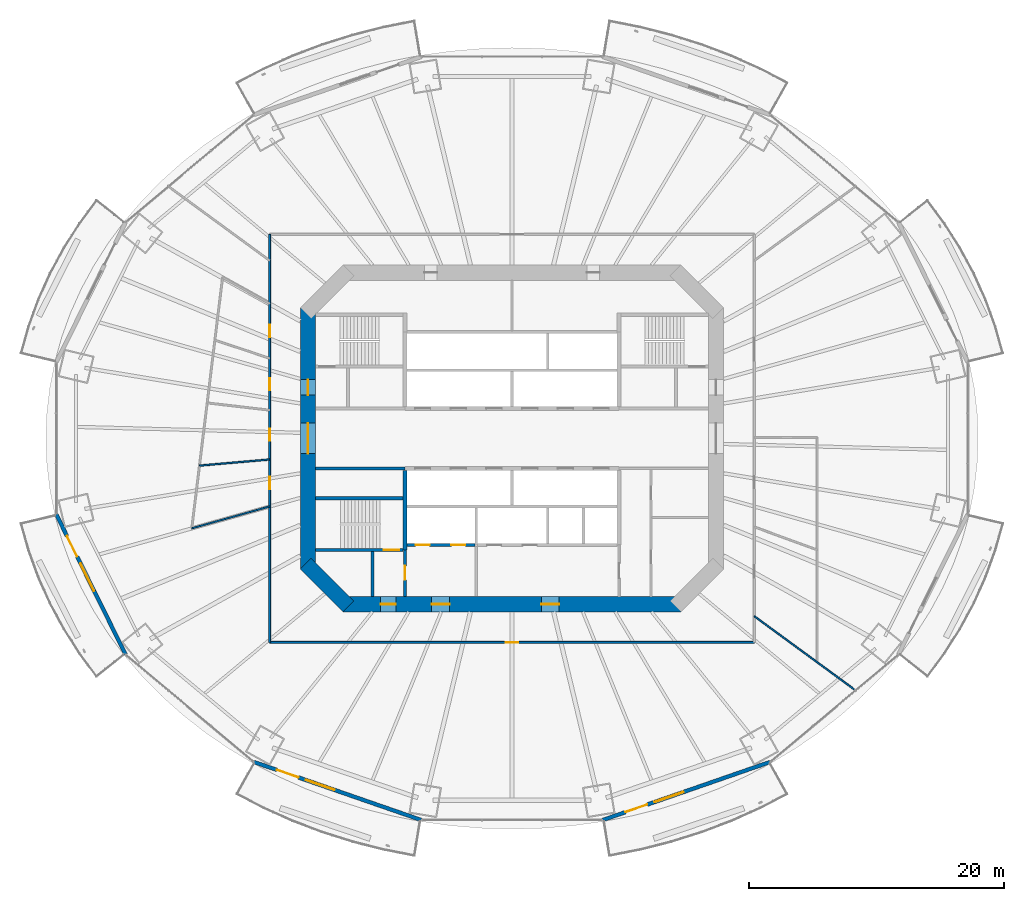
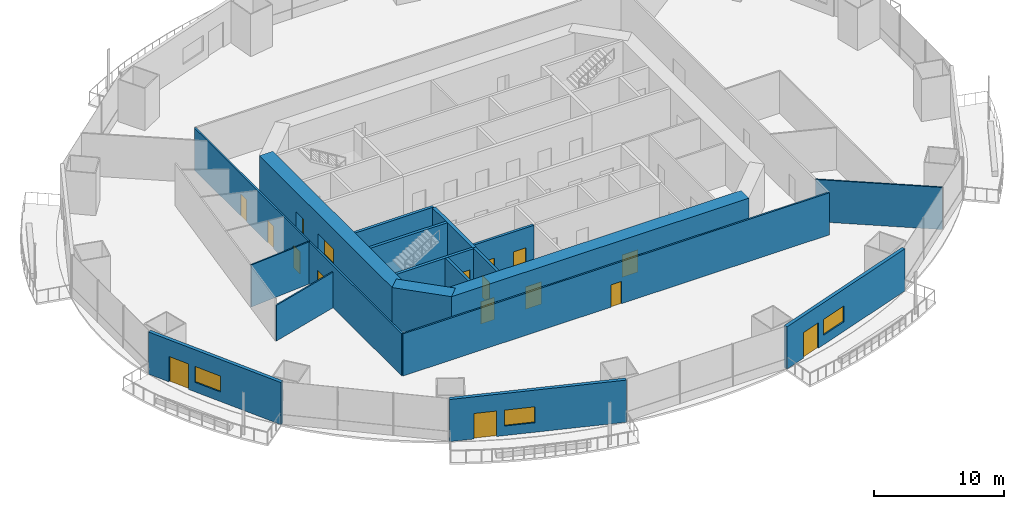
# One storey, part 14 of 23: 18 walls, 17 doors, 3 windows, 20 openings.
"""IFC4 building model written with IfcOpenShell, lengths in metres."""

from ifc_helpers import new_model, si_unit, direction, frame, frame_2d, origin, place, context, subcontext, project, spatial, rectangle, extrude, material, layer, layer_set, type_object, element, fill, save


model = new_model("IFC4")

# Units and contexts
model_context = context("Model", 3, precision=1e-05, world=origin(), true_north=direction((0.0, 1.0)))
body_context = subcontext(model_context, "Body", "Model", "MODEL_VIEW")
ifc_project = project(units=[si_unit("LENGTHUNIT", "METRE"), si_unit("AREAUNIT", "SQUARE_METRE"), si_unit("VOLUMEUNIT", "CUBIC_METRE"), si_unit("PLANEANGLEUNIT", "RADIAN"), si_unit("MASSUNIT", "GRAM", prefix="KILO")], contexts=[model_context])

# Site, building, storey
site_placement = place(None, origin())
site = spatial("IfcSite", under=ifc_project, at=site_placement, CompositionType="ELEMENT")
building_placement = place(site_placement, origin())
building = spatial("IfcBuilding", under=site, at=building_placement, Name="Marenthal Gate Tower", CompositionType="ELEMENT")
storey_placement = place(building_placement, frame((0.0, 0.0, 53.75)))
storey = spatial("IfcBuildingStorey", under=building, at=storey_placement, Name="L09", CompositionType="ELEMENT", Elevation=53.75)

# Wall, openings, doors
ifc_material_1 = material(Name="Concrete 60 MPa", Category="concrete")
ifc_layer_1 = layer(ifc_material_1, 1.199951171875)
ifc_layer_set_1 = layer_set([ifc_layer_1], Name="Core shear wall 1200")
wall_type_1 = type_object("IfcWallType", Name="Core shear wall 1200", PredefinedType="SHEAR", material=ifc_layer_set_1)
wall_1_placement = place(storey_placement, frame((-16.0, 10.24853515625, -0.179931640625), z_axis=(0.0, 0.0, 1.0), x_axis=(0.0, -1.0, 0.0)))
wall_1 = element("IfcWall", 1, at=wall_1_placement, inside=storey, type_object=wall_type_1, Name="Core wall 06", PredefinedType="SHEAR", context=body_context, shape_type="SweptSolid", body=[
    extrude(rectangle(XDim=20.4970703125, YDim=1.199951171875, at=frame_2d((10.24853515625, 0.0))), origin(), (0.0, 0.0, 1.0), 4.14990234375),
])
opening_1_placement = place(wall_1_placement, frame((9.048583984375, 0.0, 0.179931640625)))
opening_1 = element("IfcOpeningElement", 2, at=opening_1_placement, cuts=wall_1, Name="Opening D003.01", PredefinedType="OPENING", context=body_context, shape_type="SweptSolid", body=[
    extrude(rectangle(XDim=2.39990234375, YDim=2.10009765625, at=frame_2d((1.199951171875, 1.050048828125))), frame((0.0, 0.60986328125, 0.0), z_axis=(0.0, -1.0, 0.0), x_axis=(1.0, 0.0, 0.0)), (0.0, 0.0, 1.0), 1.219970703125),
])
opening_2_placement = place(wall_1_placement, frame((5.6484375, 0.0, 0.179931640625)))
opening_2 = element("IfcOpeningElement", 3, at=opening_2_placement, cuts=wall_1, Name="Opening D001.04", PredefinedType="OPENING", context=body_context, shape_type="SweptSolid", body=[
    extrude(rectangle(XDim=1.199951171875, YDim=2.10009765625, at=frame_2d((0.60009765625, 1.050048828125))), frame((0.0, 0.60986328125, 0.0), z_axis=(0.0, -1.0, 0.0), x_axis=(1.0, 0.0, 0.0)), (0.0, 0.0, 1.0), 1.219970703125),
])
ifc_material_2 = material(Name="Steel fire door", Category="steel")
door_type_1 = type_object("IfcDoorType", Name="Double fire door FD 45 2400 x 2100", OperationType="DOUBLE_DOOR_SINGLE_SWING", PredefinedType="DOOR", material=ifc_material_2)
door_1_placement = place(opening_1_placement, origin())
door_1 = element("IfcDoor", 4, at=door_1_placement, inside=storey, type_object=door_type_1, Name="Door D003.01", OperationType="DOUBLE_DOOR_SINGLE_SWING", OverallHeight=2.10009765625, OverallWidth=2.39990234375, PredefinedType="DOOR", context=body_context, shape_type="SweptSolid", body=[
    extrude(rectangle(XDim=2.39990234375, YDim=2.10009765625, at=frame_2d((1.199951171875, 1.050048828125))), frame((0.0, 0.02490234375, 0.0), z_axis=(0.0, -1.0, 0.0), x_axis=(1.0, 0.0, 0.0)), (0.0, 0.0, 1.0), 0.050048828125),
])
fill(opening_1, door_1)
ifc_material_3 = material(Name="Steel fire door", Category="steel")
door_type_2 = type_object("IfcDoorType", Name="Fire door FD 90 1200 x 2100", OperationType="NOTDEFINED", PredefinedType="DOOR", material=ifc_material_3)
door_2_placement = place(opening_2_placement, origin())
door_2 = element("IfcDoor", 5, at=door_2_placement, inside=storey, type_object=door_type_2, Name="Door D001.04", OperationType="SINGLE_SWING_RIGHT", OverallHeight=2.10009765625, OverallWidth=1.199951171875, PredefinedType="DOOR", context=body_context, shape_type="SweptSolid", body=[
    extrude(rectangle(XDim=1.199951171875, YDim=2.10009765625, at=frame_2d((0.60009765625, 1.050048828125))), frame((0.0, 0.02490234375, 0.0), z_axis=(0.0, -1.0, 0.0), x_axis=(1.0, 0.0, 0.0)), (0.0, 0.0, 1.0), 0.050048828125),
])
fill(opening_2, door_2)

# Wall
wall_2_placement = place(storey_placement, frame((-16.17578125, -9.82421875, -0.179931640625), z_axis=(0.0, 0.0, 1.0), x_axis=(0.707106781187, -0.707106781187, 0.0)))
element("IfcWall", 6, at=wall_2_placement, inside=storey, type_object=wall_type_1, Name="Core wall 07", PredefinedType="SHEAR", context=body_context, shape_type="SweptSolid", body=[
    extrude(rectangle(XDim=4.73974609375, YDim=1.199951171875, at=frame_2d((2.369873046875, 0.0))), origin(), (0.0, 0.0, 1.0), 4.14990234375),
])

# Wall, openings, doors
wall_3_placement = place(storey_placement, frame((-13.24853515625, -13.0, -0.179931640625), z_axis=(0.0, 0.0, 1.0), x_axis=(1.0, 0.0, 0.0)))
wall_3 = element("IfcWall", 7, at=wall_3_placement, inside=storey, type_object=wall_type_1, Name="Core wall 08", PredefinedType="SHEAR", context=body_context, shape_type="SweptSolid", body=[
    extrude(rectangle(XDim=26.4970703125, YDim=1.199951171875, at=frame_2d((13.24853515625, 0.0))), origin(), (0.0, 0.0, 1.0), 4.14990234375),
])
opening_3_placement = place(wall_3_placement, frame((2.948486328125, 0.0, 0.179931640625)))
opening_3 = element("IfcOpeningElement", 8, at=opening_3_placement, cuts=wall_3, Name="Opening D001.06", PredefinedType="OPENING", context=body_context, shape_type="SweptSolid", body=[
    extrude(rectangle(XDim=1.199951171875, YDim=2.10009765625, at=frame_2d((0.60009765625, 1.050048828125))), frame((0.0, 0.60986328125, 0.0), z_axis=(0.0, -1.0, 0.0), x_axis=(1.0, 0.0, 0.0)), (0.0, 0.0, 1.0), 1.219970703125),
])
opening_4_placement = place(wall_3_placement, frame((6.948486328125, 0.0, 0.179931640625)))
opening_4 = element("IfcOpeningElement", 9, at=opening_4_placement, cuts=wall_3, Name="Opening D004.01", PredefinedType="OPENING", context=body_context, shape_type="SweptSolid", body=[
    extrude(rectangle(XDim=1.39990234375, YDim=2.10009765625, at=frame_2d((0.699951171875, 1.050048828125))), frame((0.0, 0.60986328125, 0.0), z_axis=(0.0, -1.0, 0.0), x_axis=(1.0, 0.0, 0.0)), (0.0, 0.0, 1.0), 1.219970703125),
])
opening_5_placement = place(wall_3_placement, frame((15.548583984375, 0.0, 0.179931640625)))
opening_5 = element("IfcOpeningElement", 10, at=opening_5_placement, cuts=wall_3, Name="Opening D004.02", PredefinedType="OPENING", context=body_context, shape_type="SweptSolid", body=[
    extrude(rectangle(XDim=1.39990234375, YDim=2.10009765625, at=frame_2d((0.699951171875, 1.050048828125))), frame((0.0, 0.60986328125, 0.0), z_axis=(0.0, -1.0, 0.0), x_axis=(1.0, 0.0, 0.0)), (0.0, 0.0, 1.0), 1.219970703125),
])
ifc_material_4 = material(Name="Steel fire door", Category="steel")
door_type_3 = type_object("IfcDoorType", Name="Fire door FD 45 1400 x 2100", OperationType="NOTDEFINED", PredefinedType="DOOR", material=ifc_material_4)
door_3_placement = place(opening_4_placement, origin())
door_3 = element("IfcDoor", 11, at=door_3_placement, inside=storey, type_object=door_type_3, Name="Door D004.01", OperationType="SINGLE_SWING_RIGHT", OverallHeight=2.10009765625, OverallWidth=1.39990234375, PredefinedType="DOOR", context=body_context, shape_type="SweptSolid", body=[
    extrude(rectangle(XDim=1.39990234375, YDim=2.10009765625, at=frame_2d((0.699951171875, 1.050048828125))), frame((0.0, 0.02490234375, 0.0), z_axis=(0.0, -1.0, 0.0), x_axis=(1.0, 0.0, 0.0)), (0.0, 0.0, 1.0), 0.050048828125),
])
fill(opening_4, door_3)
door_4_placement = place(opening_5_placement, origin())
door_4 = element("IfcDoor", 12, at=door_4_placement, inside=storey, type_object=door_type_3, Name="Door D004.02", OperationType="SINGLE_SWING_RIGHT", OverallHeight=2.10009765625, OverallWidth=1.39990234375, PredefinedType="DOOR", context=body_context, shape_type="SweptSolid", body=[
    extrude(rectangle(XDim=1.39990234375, YDim=2.10009765625, at=frame_2d((0.699951171875, 1.050048828125))), frame((0.0, 0.02490234375, 0.0), z_axis=(0.0, -1.0, 0.0), x_axis=(1.0, 0.0, 0.0)), (0.0, 0.0, 1.0), 0.050048828125),
])
fill(opening_5, door_4)
door_5_placement = place(opening_3_placement, origin())
door_5 = element("IfcDoor", 13, at=door_5_placement, inside=storey, type_object=door_type_2, Name="Door D001.06", OperationType="SINGLE_SWING_RIGHT", OverallHeight=2.10009765625, OverallWidth=1.199951171875, PredefinedType="DOOR", context=body_context, shape_type="SweptSolid", body=[
    extrude(rectangle(XDim=1.199951171875, YDim=2.10009765625, at=frame_2d((0.60009765625, 1.050048828125))), frame((0.0, 0.02490234375, 0.0), z_axis=(0.0, -1.0, 0.0), x_axis=(1.0, 0.0, 0.0)), (0.0, 0.0, 1.0), 0.050048828125),
])
fill(opening_3, door_5)

# Wall
ifc_material_5 = material(Name="Concrete 50 MPa", Category="concrete")
ifc_layer_2 = layer(ifc_material_5, 0.300048828125)
ifc_layer_set_2 = layer_set([ifc_layer_2], Name="Hoistway shear wall 300")
wall_type_2 = type_object("IfcWallType", Name="Hoistway shear wall 300", PredefinedType="SHEAR", material=ifc_layer_set_2)
wall_4_placement = place(storey_placement, frame((-8.39990234375, -8.75, -0.179931640625), z_axis=(0.0, 0.0, 1.0), x_axis=(0.0, 1.0, 0.0)))
element("IfcWall", 14, at=wall_4_placement, inside=storey, type_object=wall_type_2, Name="Hoistway wall 30", PredefinedType="SHEAR", context=body_context, shape_type="SweptSolid", body=[
    extrude(rectangle(XDim=6.25, YDim=0.300048828125, at=frame_2d((3.125, 0.0))), origin(), (0.0, 0.0, 1.0), 4.14990234375),
])

# Wall, openings, doors
ifc_material_6 = material(Name="Concrete 40 MPa", Category="concrete")
ifc_layer_3 = layer(ifc_material_6, 0.219970703125)
ifc_layer_set_3 = layer_set([ifc_layer_3], Name="Hoistway wall 220")
wall_type_3 = type_object("IfcWallType", Name="Hoistway wall 220", PredefinedType="STANDARD", material=ifc_layer_set_3)
wall_5_placement = place(storey_placement, frame((-8.25, -8.35009765625, 0.0), z_axis=(0.0, 0.0, 1.0), x_axis=(1.0, 0.0, 0.0)))
wall_5 = element("IfcWall", 15, at=wall_5_placement, inside=storey, type_object=wall_type_3, Name="Hoistway wall 10", PredefinedType="STANDARD", context=body_context, shape_type="SweptSolid", body=[
    extrude(rectangle(XDim=5.340087890625, YDim=0.219970703125, at=frame_2d((2.669921875, 0.0))), origin(), (0.0, 0.0, 1.0), 3.969970703125),
])
opening_6_placement = place(wall_5_placement, frame((0.699951171875, 0.0, 0.0)))
opening_6 = element("IfcOpeningElement", 16, at=opening_6_placement, cuts=wall_5, Name="Opening LD-LF1", PredefinedType="OPENING", context=body_context, shape_type="SweptSolid", body=[
    extrude(rectangle(XDim=1.10009765625, YDim=2.10009765625, at=frame_2d((0.550048828125, 1.050048828125))), frame((0.0, 0.1201171875, 0.0), z_axis=(0.0, -1.0, 0.0), x_axis=(1.0, 0.0, 0.0)), (0.0, 0.0, 1.0), 0.239990234375),
])
opening_7_placement = place(wall_5_placement, frame((3.5, 0.0, 0.0)))
opening_7 = element("IfcOpeningElement", 17, at=opening_7_placement, cuts=wall_5, Name="Opening LD-LF2", PredefinedType="OPENING", context=body_context, shape_type="SweptSolid", body=[
    extrude(rectangle(XDim=1.10009765625, YDim=2.10009765625, at=frame_2d((0.550048828125, 1.050048828125))), frame((0.0, 0.1201171875, 0.0), z_axis=(0.0, -1.0, 0.0), x_axis=(1.0, 0.0, 0.0)), (0.0, 0.0, 1.0), 0.239990234375),
])
ifc_material_7 = material(Name="Stainless steel sliding door", Category="steel")
door_type_4 = type_object("IfcDoorType", Name="Lift landing door FD 90 1100 x 2100", OperationType="DOUBLE_DOOR_SLIDING", PredefinedType="DOOR", material=ifc_material_7)
door_6_placement = place(opening_6_placement, origin())
door_6 = element("IfcDoor", 18, at=door_6_placement, inside=storey, type_object=door_type_4, Name="Lift landing door LF1", OperationType="DOUBLE_DOOR_SLIDING", OverallHeight=2.10009765625, OverallWidth=1.10009765625, PredefinedType="DOOR", context=body_context, shape_type="SweptSolid", body=[
    extrude(rectangle(XDim=1.10009765625, YDim=2.10009765625, at=frame_2d((0.550048828125, 1.050048828125))), frame((0.0, 0.02490234375, 0.0), z_axis=(0.0, -1.0, 0.0), x_axis=(1.0, 0.0, 0.0)), (0.0, 0.0, 1.0), 0.050048828125),
])
fill(opening_6, door_6)
door_7_placement = place(opening_7_placement, origin())
door_7 = element("IfcDoor", 19, at=door_7_placement, inside=storey, type_object=door_type_4, Name="Lift landing door LF2", OperationType="DOUBLE_DOOR_SLIDING", OverallHeight=2.10009765625, OverallWidth=1.10009765625, PredefinedType="DOOR", context=body_context, shape_type="SweptSolid", body=[
    extrude(rectangle(XDim=1.10009765625, YDim=2.10009765625, at=frame_2d((0.550048828125, 1.050048828125))), frame((0.0, 0.02490234375, 0.0), z_axis=(0.0, -1.0, 0.0), x_axis=(1.0, 0.0, 0.0)), (0.0, 0.0, 1.0), 0.050048828125),
])
fill(opening_7, door_7)

# Walls
ifc_material_8 = material(Name="Gypsum board on steel studs", Category="steel")
ifc_layer_4 = layer(ifc_material_8, 0.1201171875)
ifc_layer_set_4 = layer_set([ifc_layer_4], Name="Partition 120")
wall_type_4 = type_object("IfcWallType", Name="Partition 120", PredefinedType="PARTITIONING", material=ifc_layer_set_4)
wall_6_placement = place(storey_placement, frame((-24.506103515625, -2.13427734375, 0.0), z_axis=(0.0, 0.0, 1.0), x_axis=(0.996225821909, 0.086799261298, 0.0)))
element("IfcWall", 20, at=wall_6_placement, inside=storey, type_object=wall_type_4, Name="Partition wall 47", PredefinedType="PARTITIONING", context=body_context, shape_type="SweptSolid", body=[
    extrude(rectangle(XDim=5.52685546875, YDim=0.1201171875, at=frame_2d((2.763427734375, 0.0))), origin(), (0.0, 0.0, 1.0), 3.969970703125),
])
wall_7_placement = place(storey_placement, frame((-19.0, -5.3359375, 0.0), z_axis=(0.0, 0.0, 1.0), x_axis=(-0.962746758525, -0.270404657783, 0.0)))
element("IfcWall", 21, at=wall_7_placement, inside=storey, type_object=wall_type_4, Name="Partition wall 53", PredefinedType="PARTITIONING", context=body_context, shape_type="SweptSolid", body=[
    extrude(rectangle(XDim=6.34619140625, YDim=0.1201171875, at=frame_2d((3.173095703125, 0.0))), origin(), (0.0, 0.0, 1.0), 3.35791015625),
])
wall_8_placement = place(storey_placement, frame((19.0, -13.941162109375, 0.0), z_axis=(0.0, 0.0, 1.0), x_axis=(0.806231534746, -0.591600128787, 0.0)))
element("IfcWall", 22, at=wall_8_placement, inside=storey, type_object=wall_type_4, Name="Partition wall 57", PredefinedType="PARTITIONING", context=body_context, shape_type="SweptSolid", body=[
    extrude(rectangle(XDim=9.84619140625, YDim=0.1201171875, at=frame_2d((4.923095703125, 0.0))), origin(), (0.0, 0.0, 1.0), 3.969970703125),
])

# Wall, openings, doors
ifc_material_9 = material(Name="Gypsum board on steel studs", Category="steel")
ifc_layer_5 = layer(ifc_material_9, 0.14990234375)
ifc_layer_set_5 = layer_set([ifc_layer_5], Name="Partition 150")
wall_type_5 = type_object("IfcWallType", Name="Partition 150", PredefinedType="PARTITIONING", material=ifc_layer_set_5)
wall_9_placement = place(storey_placement, frame((-19.0, -16.0, 0.0), z_axis=(0.0, 0.0, 1.0), x_axis=(0.0, 1.0, 0.0)))
wall_9 = element("IfcWall", 23, at=wall_9_placement, inside=storey, type_object=wall_type_5, Name="Partition wall 52", PredefinedType="PARTITIONING", context=body_context, shape_type="SweptSolid", body=[
    extrude(rectangle(XDim=32.0, YDim=0.14990234375, at=frame_2d((16.0, 0.0))), origin(), (0.0, 0.0, 1.0), 3.969970703125),
])
opening_8_placement = place(wall_9_placement, frame((23.947021484375, 0.0, 0.0)))
opening_8 = element("IfcOpeningElement", 24, at=opening_8_placement, cuts=wall_9, Name="Opening D016.01", PredefinedType="OPENING", context=body_context, shape_type="SweptSolid", body=[
    extrude(rectangle(XDim=0.949951171875, YDim=2.10009765625, at=frame_2d((0.47509765625, 1.050048828125))), frame((0.0, 0.0849609375, 0.0), z_axis=(0.0, -1.0, 0.0), x_axis=(1.0, 0.0, 0.0)), (0.0, 0.0, 1.0), 0.169921875),
])
opening_9_placement = place(wall_9_placement, frame((19.77099609375, 0.0, 0.0)))
opening_9 = element("IfcOpeningElement", 25, at=opening_9_placement, cuts=wall_9, Name="Opening D016.02", PredefinedType="OPENING", context=body_context, shape_type="SweptSolid", body=[
    extrude(rectangle(XDim=0.949951171875, YDim=2.10009765625, at=frame_2d((0.47509765625, 1.050048828125))), frame((0.0, 0.0849609375, 0.0), z_axis=(0.0, -1.0, 0.0), x_axis=(1.0, 0.0, 0.0)), (0.0, 0.0, 1.0), 0.169921875),
])
opening_10_placement = place(wall_9_placement, frame((15.803955078125, 0.0, 0.0)))
opening_10 = element("IfcOpeningElement", 26, at=opening_10_placement, cuts=wall_9, Name="Opening D016.03", PredefinedType="OPENING", context=body_context, shape_type="SweptSolid", body=[
    extrude(rectangle(XDim=0.949951171875, YDim=2.10009765625, at=frame_2d((0.47509765625, 1.050048828125))), frame((0.0, 0.0849609375, 0.0), z_axis=(0.0, -1.0, 0.0), x_axis=(1.0, 0.0, 0.0)), (0.0, 0.0, 1.0), 0.169921875),
])
opening_11_placement = place(wall_9_placement, frame((12.030029296875, 0.0, 0.0)))
opening_11 = element("IfcOpeningElement", 27, at=opening_11_placement, cuts=wall_9, Name="Opening D016.04", PredefinedType="OPENING", context=body_context, shape_type="SweptSolid", body=[
    extrude(rectangle(XDim=0.949951171875, YDim=2.10009765625, at=frame_2d((0.47509765625, 1.050048828125))), frame((0.0, 0.0849609375, 0.0), z_axis=(0.0, -1.0, 0.0), x_axis=(1.0, 0.0, 0.0)), (0.0, 0.0, 1.0), 0.169921875),
])
ifc_material_10 = material(Name="Timber door", Category="wood")
door_type_5 = type_object("IfcDoorType", Name="Door 950 x 2100", OperationType="NOTDEFINED", PredefinedType="DOOR", material=ifc_material_10)
door_8_placement = place(opening_8_placement, origin())
door_8 = element("IfcDoor", 28, at=door_8_placement, inside=storey, type_object=door_type_5, Name="Door D016.01", OperationType="SINGLE_SWING_RIGHT", OverallHeight=2.10009765625, OverallWidth=0.949951171875, PredefinedType="DOOR", context=body_context, shape_type="SweptSolid", body=[
    extrude(rectangle(XDim=0.949951171875, YDim=2.10009765625, at=frame_2d((0.47509765625, 1.050048828125))), frame((0.0, 0.02490234375, 0.0), z_axis=(0.0, -1.0, 0.0), x_axis=(1.0, 0.0, 0.0)), (0.0, 0.0, 1.0), 0.050048828125),
])
fill(opening_8, door_8)
door_9_placement = place(opening_9_placement, origin())
door_9 = element("IfcDoor", 29, at=door_9_placement, inside=storey, type_object=door_type_5, Name="Door D016.02", OperationType="SINGLE_SWING_RIGHT", OverallHeight=2.10009765625, OverallWidth=0.949951171875, PredefinedType="DOOR", context=body_context, shape_type="SweptSolid", body=[
    extrude(rectangle(XDim=0.949951171875, YDim=2.10009765625, at=frame_2d((0.47509765625, 1.050048828125))), frame((0.0, 0.02490234375, 0.0), z_axis=(0.0, -1.0, 0.0), x_axis=(1.0, 0.0, 0.0)), (0.0, 0.0, 1.0), 0.050048828125),
])
fill(opening_9, door_9)
door_10_placement = place(opening_10_placement, origin())
door_10 = element("IfcDoor", 30, at=door_10_placement, inside=storey, type_object=door_type_5, Name="Door D016.03", OperationType="SINGLE_SWING_RIGHT", OverallHeight=2.10009765625, OverallWidth=0.949951171875, PredefinedType="DOOR", context=body_context, shape_type="SweptSolid", body=[
    extrude(rectangle(XDim=0.949951171875, YDim=2.10009765625, at=frame_2d((0.47509765625, 1.050048828125))), frame((0.0, 0.02490234375, 0.0), z_axis=(0.0, -1.0, 0.0), x_axis=(1.0, 0.0, 0.0)), (0.0, 0.0, 1.0), 0.050048828125),
])
fill(opening_10, door_10)
door_11_placement = place(opening_11_placement, origin())
door_11 = element("IfcDoor", 31, at=door_11_placement, inside=storey, type_object=door_type_5, Name="Door D016.04", OperationType="SINGLE_SWING_RIGHT", OverallHeight=2.10009765625, OverallWidth=0.949951171875, PredefinedType="DOOR", context=body_context, shape_type="SweptSolid", body=[
    extrude(rectangle(XDim=0.949951171875, YDim=2.10009765625, at=frame_2d((0.47509765625, 1.050048828125))), frame((0.0, 0.02490234375, 0.0), z_axis=(0.0, -1.0, 0.0), x_axis=(1.0, 0.0, 0.0)), (0.0, 0.0, 1.0), 0.050048828125),
])
fill(opening_11, door_11)

# Wall, opening, door
wall_10_placement = place(storey_placement, frame((19.0, -16.0, 0.0), z_axis=(0.0, 0.0, 1.0), x_axis=(-1.0, 0.0, 0.0)))
wall_10 = element("IfcWall", 32, at=wall_10_placement, inside=storey, type_object=wall_type_5, Name="Partition wall 56", PredefinedType="PARTITIONING", context=body_context, shape_type="SweptSolid", body=[
    extrude(rectangle(XDim=38.0, YDim=0.14990234375, at=frame_2d((19.0, 0.0))), origin(), (0.0, 0.0, 1.0), 3.969970703125),
])
opening_12_placement = place(wall_10_placement, frame((18.52490234375, 0.0, 0.0)))
opening_12 = element("IfcOpeningElement", 33, at=opening_12_placement, cuts=wall_10, Name="Opening D016.05", PredefinedType="OPENING", context=body_context, shape_type="SweptSolid", body=[
    extrude(rectangle(XDim=0.949951171875, YDim=2.10009765625, at=frame_2d((0.47509765625, 1.050048828125))), frame((0.0, 0.0849609375, 0.0), z_axis=(0.0, -1.0, 0.0), x_axis=(1.0, 0.0, 0.0)), (0.0, 0.0, 1.0), 0.169921875),
])
door_12_placement = place(opening_12_placement, origin())
door_12 = element("IfcDoor", 34, at=door_12_placement, inside=storey, type_object=door_type_5, Name="Door D016.05", OperationType="SINGLE_SWING_RIGHT", OverallHeight=2.10009765625, OverallWidth=0.949951171875, PredefinedType="DOOR", context=body_context, shape_type="SweptSolid", body=[
    extrude(rectangle(XDim=0.949951171875, YDim=2.10009765625, at=frame_2d((0.47509765625, 1.050048828125))), frame((0.0, 0.02490234375, 0.0), z_axis=(0.0, -1.0, 0.0), x_axis=(1.0, 0.0, 0.0)), (0.0, 0.0, 1.0), 0.050048828125),
])
fill(opening_12, door_12)

# Walls
ifc_material_11 = material(Name="Concrete 40 MPa", Category="concrete")
ifc_layer_6 = layer(ifc_material_11, 0.25)
ifc_layer_set_6 = layer_set([ifc_layer_6], Name="Stair enclosure wall 250")
wall_type_6 = type_object("IfcWallType", Name="Stair enclosure wall 250", PredefinedType="STANDARD", material=ifc_layer_set_6)
wall_11_placement = place(storey_placement, frame((-15.39990234375, -2.35009765625, 0.0), z_axis=(0.0, 0.0, 1.0), x_axis=(1.0, 0.0, 0.0)))
element("IfcWall", 35, at=wall_11_placement, inside=storey, type_object=wall_type_6, Name="Stair wall 15", PredefinedType="STANDARD", context=body_context, shape_type="SweptSolid", body=[
    extrude(rectangle(XDim=7.0, YDim=0.25, at=frame_2d((3.5, 0.0))), origin(), (0.0, 0.0, 1.0), 3.969970703125),
])
wall_12_placement = place(storey_placement, frame((-10.949951171875, -12.39990234375, 0.0), z_axis=(0.0, 0.0, 1.0), x_axis=(0.0, 1.0, 0.0)))
element("IfcWall", 36, at=wall_12_placement, inside=storey, type_object=wall_type_6, Name="Stair wall 28", PredefinedType="STANDARD", context=body_context, shape_type="SweptSolid", body=[
    extrude(rectangle(XDim=3.52490234375, YDim=0.25, at=frame_2d((1.762451171875, 0.0))), origin(), (0.0, 0.0, 1.0), 3.969970703125),
])

# Wall, opening, door
wall_13_placement = place(storey_placement, frame((-8.39990234375, -12.39990234375, 0.0), z_axis=(0.0, 0.0, 1.0), x_axis=(0.0, 1.0, 0.0)))
wall_13 = element("IfcWall", 37, at=wall_13_placement, inside=storey, type_object=wall_type_6, Name="Stair wall 29", PredefinedType="STANDARD", context=body_context, shape_type="SweptSolid", body=[
    extrude(rectangle(XDim=3.64990234375, YDim=0.25, at=frame_2d((1.824951171875, 0.0))), origin(), (0.0, 0.0, 1.0), 3.969970703125),
])
opening_13_placement = place(wall_13_placement, frame((1.300048828125, 0.0, 0.0)))
opening_13 = element("IfcOpeningElement", 38, at=opening_13_placement, cuts=wall_13, Name="Opening D002.01", PredefinedType="OPENING", context=body_context, shape_type="SweptSolid", body=[
    extrude(rectangle(XDim=1.10009765625, YDim=2.10009765625, at=frame_2d((0.550048828125, 1.050048828125))), frame((0.0, 0.135009765625, 0.0), z_axis=(0.0, -1.0, 0.0), x_axis=(1.0, 0.0, 0.0)), (0.0, 0.0, 1.0), 0.27001953125),
])
ifc_material_12 = material(Name="Steel fire door", Category="steel")
door_type_6 = type_object("IfcDoorType", Name="Fire door FD 90 1100 x 2100", OperationType="NOTDEFINED", PredefinedType="DOOR", material=ifc_material_12)
door_13_placement = place(opening_13_placement, origin())
door_13 = element("IfcDoor", 39, at=door_13_placement, inside=storey, type_object=door_type_6, Name="Door D002.01", OperationType="SINGLE_SWING_RIGHT", OverallHeight=2.10009765625, OverallWidth=1.10009765625, PredefinedType="DOOR", context=body_context, shape_type="SweptSolid", body=[
    extrude(rectangle(XDim=1.10009765625, YDim=2.10009765625, at=frame_2d((0.550048828125, 1.050048828125))), frame((0.0, 0.02490234375, 0.0), z_axis=(0.0, -1.0, 0.0), x_axis=(1.0, 0.0, 0.0)), (0.0, 0.0, 1.0), 0.050048828125),
])
fill(opening_13, door_13)

ifc_material_13 = material(Name="Concrete 50 MPa", Category="concrete")
ifc_layer_7 = layer(ifc_material_13, 0.25)
ifc_layer_set_7 = layer_set([ifc_layer_7], Name="Stair shear wall 250")
wall_type_7 = type_object("IfcWallType", Name="Stair shear wall 250", PredefinedType="SHEAR", material=ifc_layer_set_7)
wall_14_placement = place(storey_placement, frame((-15.39990234375, -8.75, -0.179931640625), z_axis=(0.0, 0.0, 1.0), x_axis=(1.0, 0.0, 0.0)))
wall_14 = element("IfcWall", 40, at=wall_14_placement, inside=storey, type_object=wall_type_7, Name="Stair wall 09", PredefinedType="SHEAR", context=body_context, shape_type="SweptSolid", body=[
    extrude(rectangle(XDim=6.849853515625, YDim=0.25, at=frame_2d((3.4248046875, 0.0))), origin(), (0.0, 0.0, 1.0), 4.14990234375),
])
opening_14_placement = place(wall_14_placement, frame((5.35009765625, 0.0, 0.179931640625)))
opening_14 = element("IfcOpeningElement", 41, at=opening_14_placement, cuts=wall_14, Name="Opening D001.03", PredefinedType="OPENING", context=body_context, shape_type="SweptSolid", body=[
    extrude(rectangle(XDim=1.199951171875, YDim=2.10009765625, at=frame_2d((0.60009765625, 1.050048828125))), frame((0.0, 0.135009765625, 0.0), z_axis=(0.0, -1.0, 0.0), x_axis=(1.0, 0.0, 0.0)), (0.0, 0.0, 1.0), 0.27001953125),
])
door_14_placement = place(opening_14_placement, origin())
door_14 = element("IfcDoor", 42, at=door_14_placement, inside=storey, type_object=door_type_2, Name="Door D001.03", OperationType="SINGLE_SWING_RIGHT", OverallHeight=2.10009765625, OverallWidth=1.199951171875, PredefinedType="DOOR", context=body_context, shape_type="SweptSolid", body=[
    extrude(rectangle(XDim=1.199951171875, YDim=2.10009765625, at=frame_2d((0.60009765625, 1.050048828125))), frame((0.0, 0.02490234375, 0.0), z_axis=(0.0, -1.0, 0.0), x_axis=(1.0, 0.0, 0.0)), (0.0, 0.0, 1.0), 0.050048828125),
])
fill(opening_14, door_14)

# Wall
wall_15_placement = place(storey_placement, frame((-15.39990234375, -4.699951171875, -0.179931640625), z_axis=(0.0, 0.0, 1.0), x_axis=(1.0, 0.0, 0.0)))
element("IfcWall", 43, at=wall_15_placement, inside=storey, type_object=wall_type_7, Name="Stair wall 14", PredefinedType="SHEAR", context=body_context, shape_type="SweptSolid", body=[
    extrude(rectangle(XDim=6.849853515625, YDim=0.25, at=frame_2d((3.4248046875, 0.0))), origin(), (0.0, 0.0, 1.0), 4.14990234375),
])

# Wall, openings, door, window
ifc_material_14 = material(Name="Terracotta cladding on insulated concrete-block backing", Category="masonry")
ifc_layer_8 = layer(ifc_material_14, 0.300048828125)
ifc_layer_set_8 = layer_set([ifc_layer_8], Name="Terracotta facade wall 300")
wall_type_8 = type_object("IfcWallType", Name="Terracotta facade wall 300", PredefinedType="SOLIDWALL", material=ifc_layer_set_8)
wall_16_placement = place(storey_placement, frame((-35.73779296875, -5.953125, 0.0), z_axis=(0.0, 0.0, 1.0), x_axis=(0.443341984676, -0.89635254483, 0.0)))
wall_16 = element("IfcWall", 44, at=wall_16_placement, inside=storey, type_object=wall_type_8, Name="Terracotta facade wall L09 bay 9", PredefinedType="SOLIDWALL", context=body_context, shape_type="SweptSolid", body=[
    extrude(rectangle(XDim=12.27197265625, YDim=0.300048828125, at=frame_2d((6.135986328125, 0.0))), origin(), (0.0, 0.0, 1.0), 3.969970703125),
])
opening_15_placement = place(wall_16_placement, frame((1.89990234375, 0.0, 0.0)))
opening_15 = element("IfcOpeningElement", 45, at=opening_15_placement, cuts=wall_16, Name="Opening BD-L09-09", PredefinedType="OPENING", context=body_context, shape_type="SweptSolid", body=[
    extrude(rectangle(XDim=1.800048828125, YDim=2.39990234375, at=frame_2d((0.89990234375, 1.199951171875))), frame((0.0, 0.16015625, 0.0), z_axis=(0.0, -1.0, 0.0), x_axis=(1.0, 0.0, 0.0)), (0.0, 0.0, 1.0), 0.320068359375),
])
opening_16_placement = place(wall_16_placement, frame((4.300048828125, 0.0, 0.89990234375)))
opening_16 = element("IfcOpeningElement", 46, at=opening_16_placement, cuts=wall_16, Name="Opening WN1-L09-09", PredefinedType="OPENING", context=body_context, shape_type="SweptSolid", body=[
    extrude(rectangle(XDim=2.39990234375, YDim=1.5, at=frame_2d((1.199951171875, 0.75))), frame((0.0, 0.16015625, 0.0), z_axis=(0.0, -1.0, 0.0), x_axis=(1.0, 0.0, 0.0)), (0.0, 0.0, 1.0), 0.320068359375),
])
ifc_material_15 = material(Name="Aluminium and glass", Category="aluminium")
door_type_7 = type_object("IfcDoorType", Name="Balcony door 1800x2400", OperationType="DOUBLE_DOOR_SINGLE_SWING", PredefinedType="DOOR", material=ifc_material_15)
door_15_placement = place(opening_15_placement, origin())
door_15 = element("IfcDoor", 47, at=door_15_placement, inside=storey, type_object=door_type_7, Name="Balcony door L09 bay 9", OperationType="SINGLE_SWING_LEFT", OverallHeight=2.39990234375, OverallWidth=1.800048828125, PredefinedType="DOOR", context=body_context, shape_type="SweptSolid", body=[
    extrude(rectangle(XDim=1.800048828125, YDim=2.39990234375, at=frame_2d((0.89990234375, 1.199951171875))), frame((0.0, 0.02490234375, 0.0), z_axis=(0.0, -1.0, 0.0), x_axis=(1.0, 0.0, 0.0)), (0.0, 0.0, 1.0), 0.050048828125),
])
fill(opening_15, door_15)
ifc_material_16 = material(Name="Aluminium and glass", Category="aluminium")
window_type = type_object("IfcWindowType", Name="Window 2400x1500", PartitioningType="TRIPLE_PANEL_VERTICAL", PredefinedType="WINDOW", material=ifc_material_16)
window_1_placement = place(opening_16_placement, origin())
window_1 = element("IfcWindow", 48, at=window_1_placement, inside=storey, type_object=window_type, Name="Window L09 bay 9", OverallHeight=1.5, OverallWidth=2.39990234375, PartitioningType="SINGLE_PANEL", PredefinedType="WINDOW", context=body_context, shape_type="SweptSolid", body=[
    extrude(rectangle(XDim=2.39990234375, YDim=1.5, at=frame_2d((1.199951171875, 0.75))), frame((0.0, 0.030029296875, 0.0), z_axis=(0.0, -1.0, 0.0), x_axis=(1.0, 0.0, 0.0)), (0.0, 0.0, 1.0), 0.06005859375),
])
fill(opening_16, window_1)

wall_17_placement = place(storey_placement, frame((-20.243896484375, -25.372314453125, 0.0), z_axis=(0.0, 0.0, 1.0), x_axis=(0.944772924092, -0.327725680873, 0.0)))
wall_17 = element("IfcWall", 49, at=wall_17_placement, inside=storey, type_object=wall_type_8, Name="Terracotta facade wall L09 bay 11", PredefinedType="SOLIDWALL", context=body_context, shape_type="SweptSolid", body=[
    extrude(rectangle(XDim=13.903076171875, YDim=0.300048828125, at=frame_2d((6.95166015625, 0.0))), origin(), (0.0, 0.0, 1.0), 3.969970703125),
])
opening_17_placement = place(wall_17_placement, frame((1.89990234375, 0.0, 0.0)))
opening_17 = element("IfcOpeningElement", 50, at=opening_17_placement, cuts=wall_17, Name="Opening BD-L09-11", PredefinedType="OPENING", context=body_context, shape_type="SweptSolid", body=[
    extrude(rectangle(XDim=1.800048828125, YDim=2.39990234375, at=frame_2d((0.89990234375, 1.199951171875))), frame((0.0, 0.16015625, 0.0), z_axis=(0.0, -1.0, 0.0), x_axis=(1.0, 0.0, 0.0)), (0.0, 0.0, 1.0), 0.320068359375),
])
opening_18_placement = place(wall_17_placement, frame((4.300048828125, 0.0, 0.89990234375)))
opening_18 = element("IfcOpeningElement", 51, at=opening_18_placement, cuts=wall_17, Name="Opening WN1-L09-11", PredefinedType="OPENING", context=body_context, shape_type="SweptSolid", body=[
    extrude(rectangle(XDim=2.39990234375, YDim=1.5, at=frame_2d((1.199951171875, 0.75))), frame((0.0, 0.16015625, 0.0), z_axis=(0.0, -1.0, 0.0), x_axis=(1.0, 0.0, 0.0)), (0.0, 0.0, 1.0), 0.320068359375),
])
door_16_placement = place(opening_17_placement, origin())
door_16 = element("IfcDoor", 52, at=door_16_placement, inside=storey, type_object=door_type_7, Name="Balcony door L09 bay 11", OperationType="SINGLE_SWING_LEFT", OverallHeight=2.39990234375, OverallWidth=1.800048828125, PredefinedType="DOOR", context=body_context, shape_type="SweptSolid", body=[
    extrude(rectangle(XDim=1.800048828125, YDim=2.39990234375, at=frame_2d((0.89990234375, 1.199951171875))), frame((0.0, 0.02490234375, 0.0), z_axis=(0.0, -1.0, 0.0), x_axis=(1.0, 0.0, 0.0)), (0.0, 0.0, 1.0), 0.050048828125),
])
fill(opening_17, door_16)
window_2_placement = place(opening_18_placement, origin())
window_2 = element("IfcWindow", 53, at=window_2_placement, inside=storey, type_object=window_type, Name="Window L09 bay 11", OverallHeight=1.5, OverallWidth=2.39990234375, PartitioningType="SINGLE_PANEL", PredefinedType="WINDOW", context=body_context, shape_type="SweptSolid", body=[
    extrude(rectangle(XDim=2.39990234375, YDim=1.5, at=frame_2d((1.199951171875, 0.75))), frame((0.0, 0.030029296875, 0.0), z_axis=(0.0, -1.0, 0.0), x_axis=(1.0, 0.0, 0.0)), (0.0, 0.0, 1.0), 0.06005859375),
])
fill(opening_18, window_2)

wall_18_placement = place(storey_placement, frame((7.108642578125, -29.9287109375, 0.0), z_axis=(0.0, 0.0, 1.0), x_axis=(0.944772924092, 0.327725680873, 0.0)))
wall_18 = element("IfcWall", 54, at=wall_18_placement, inside=storey, type_object=wall_type_8, Name="Terracotta facade wall L09 bay 13", PredefinedType="SOLIDWALL", context=body_context, shape_type="SweptSolid", body=[
    extrude(rectangle(XDim=13.903076171875, YDim=0.300048828125, at=frame_2d((6.95166015625, 0.0))), origin(), (0.0, 0.0, 1.0), 3.969970703125),
])
opening_19_placement = place(wall_18_placement, frame((1.89990234375, 0.0, 0.0)))
opening_19 = element("IfcOpeningElement", 55, at=opening_19_placement, cuts=wall_18, Name="Opening BD-L09-13", PredefinedType="OPENING", context=body_context, shape_type="SweptSolid", body=[
    extrude(rectangle(XDim=1.800048828125, YDim=2.39990234375, at=frame_2d((0.89990234375, 1.199951171875))), frame((0.0, 0.16015625, 0.0), z_axis=(0.0, -1.0, 0.0), x_axis=(1.0, 0.0, 0.0)), (0.0, 0.0, 1.0), 0.320068359375),
])
opening_20_placement = place(wall_18_placement, frame((4.300048828125, 0.0, 0.89990234375)))
opening_20 = element("IfcOpeningElement", 56, at=opening_20_placement, cuts=wall_18, Name="Opening WN1-L09-13", PredefinedType="OPENING", context=body_context, shape_type="SweptSolid", body=[
    extrude(rectangle(XDim=2.39990234375, YDim=1.5, at=frame_2d((1.199951171875, 0.75))), frame((0.0, 0.16015625, 0.0), z_axis=(0.0, -1.0, 0.0), x_axis=(1.0, 0.0, 0.0)), (0.0, 0.0, 1.0), 0.320068359375),
])
door_17_placement = place(opening_19_placement, origin())
door_17 = element("IfcDoor", 57, at=door_17_placement, inside=storey, type_object=door_type_7, Name="Balcony door L09 bay 13", OperationType="SINGLE_SWING_LEFT", OverallHeight=2.39990234375, OverallWidth=1.800048828125, PredefinedType="DOOR", context=body_context, shape_type="SweptSolid", body=[
    extrude(rectangle(XDim=1.800048828125, YDim=2.39990234375, at=frame_2d((0.89990234375, 1.199951171875))), frame((0.0, 0.02490234375, 0.0), z_axis=(0.0, -1.0, 0.0), x_axis=(1.0, 0.0, 0.0)), (0.0, 0.0, 1.0), 0.050048828125),
])
fill(opening_19, door_17)
window_3_placement = place(opening_20_placement, origin())
window_3 = element("IfcWindow", 58, at=window_3_placement, inside=storey, type_object=window_type, Name="Window L09 bay 13", OverallHeight=1.5, OverallWidth=2.39990234375, PartitioningType="SINGLE_PANEL", PredefinedType="WINDOW", context=body_context, shape_type="SweptSolid", body=[
    extrude(rectangle(XDim=2.39990234375, YDim=1.5, at=frame_2d((1.199951171875, 0.75))), frame((0.0, 0.030029296875, 0.0), z_axis=(0.0, -1.0, 0.0), x_axis=(1.0, 0.0, 0.0)), (0.0, 0.0, 1.0), 0.06005859375),
])
fill(opening_20, window_3)

save(model, "model.ifc")
